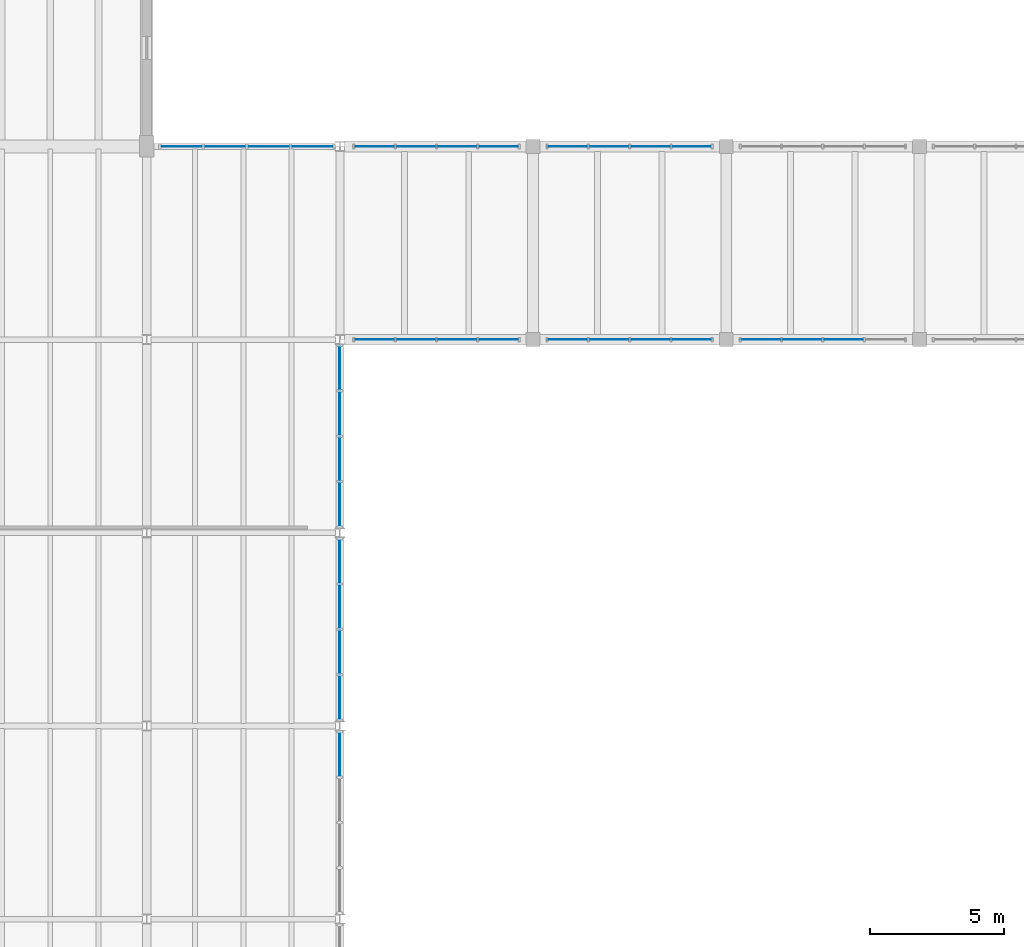
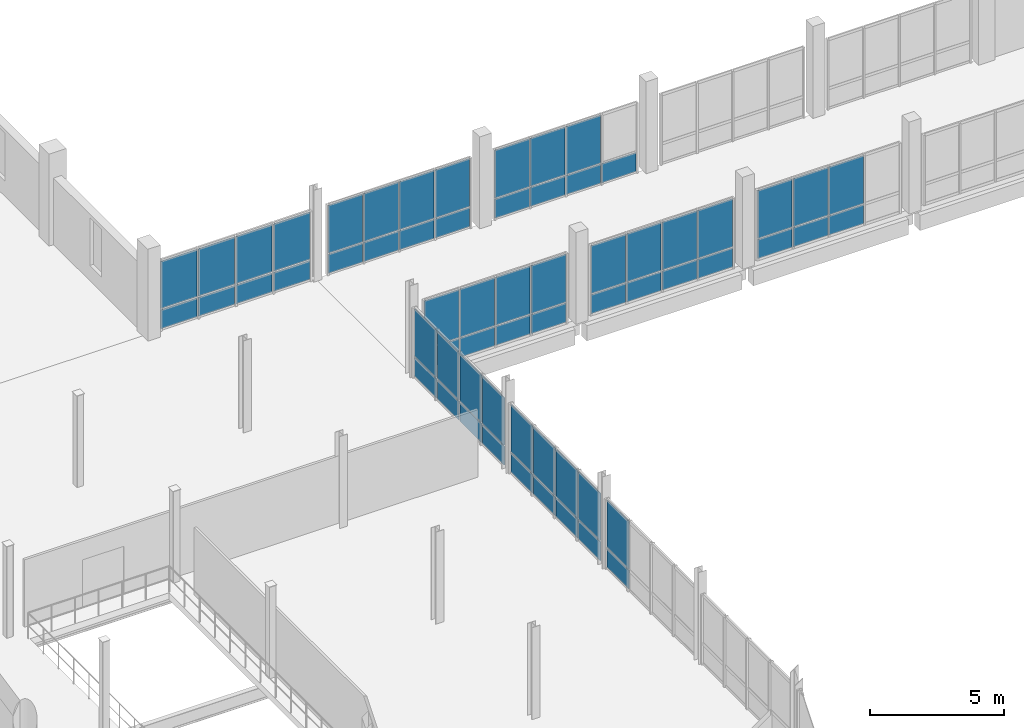
# One storey, part 49 of 72: 63 plates, 9 elements without a shape of their own.
"""IFC4 building model written with IfcOpenShell, lengths in metres."""

from ifc_helpers import new_model, si_unit, direction, frame, frame_2d, origin, place, context, subcontext, project, spatial, rectangle, extrude, material, layer, layer_set, type_object, element, aggregate, save


model = new_model("IFC4")

# Units and contexts
model_context = context("Model", 3, precision=1e-05, world=origin(), true_north=direction((0.0, 1.0)))
body_context = subcontext(model_context, "Body", "Model", "MODEL_VIEW")
ifc_project = project(units=[si_unit("LENGTHUNIT", "METRE"), si_unit("AREAUNIT", "SQUARE_METRE"), si_unit("VOLUMEUNIT", "CUBIC_METRE"), si_unit("PLANEANGLEUNIT", "RADIAN"), si_unit("MASSUNIT", "GRAM", prefix="KILO")], contexts=[model_context])

# Site, building, storey
site_placement = place(None, origin())
site = spatial("IfcSite", under=ifc_project, at=site_placement, CompositionType="ELEMENT")
building_placement = place(site_placement, origin())
building = spatial("IfcBuilding", under=site, at=building_placement, Name="Qiaolan Assembly House", CompositionType="ELEMENT")
storey_placement = place(building_placement, frame((0.0, 0.0, 10.199951171875)))
storey = spatial("IfcBuildingStorey", under=building, at=storey_placement, Name="L02", CompositionType="ELEMENT", Elevation=10.199951171875)

# Curtain wall, plates
ifc_material_1 = material(Name="Anodised bronze aluminium", Category="aluminium")
curtain_wall_type_1 = type_object("IfcCurtainWallType", Name="CW-CLOISTER-420", PredefinedType="NOTDEFINED", material=ifc_material_1)
curtain_wall_1_placement = place(storey_placement, origin())
curtain_wall_1 = element("IfcCurtainWall", 1, at=curtain_wall_1_placement, inside=storey, type_object=curtain_wall_type_1, Name="CW-05 North Cloister court arcade L02-1", PredefinedType="NOTDEFINED")
ifc_material_2 = material(Name="Low-E double insulating glass", Category="glass")
ifc_layer_1 = layer(ifc_material_2, 0.02587890625)
ifc_layer_set_1 = layer_set([ifc_layer_1], Name="Low-E double insulating glass")
plate_type_1 = type_object("IfcPlateType", Name="CW-CLOISTER-420-PNL", PredefinedType="CURTAIN_PANEL", material=ifc_layer_set_1)
plate_1_placement = place(storey_placement, frame((108.547119140625, 79.199951171875, 0.052978515625), z_axis=(0.0, 0.0, 1.0), x_axis=(1.0, 0.0, 0.0)))
plate_1 = element("IfcPlate", 2, at=plate_1_placement, type_object=plate_type_1, Name="GL-06 glazing panel CW-CLN-CRT-L02-0-1", PredefinedType="CURTAIN_PANEL", context=body_context, shape_type="SweptSolid", body=[
    extrude(rectangle(XDim=1.48583984375, YDim=0.02587890625, at=frame_2d((0.742919921875, 0.0))), origin(), (0.0, 0.0, 1.0), 0.8740234375),
])
plate_2_placement = place(storey_placement, frame((108.547119140625, 79.199951171875, 0.97314453125), z_axis=(0.0, 0.0, 1.0), x_axis=(1.0, 0.0, 0.0)))
plate_2 = element("IfcPlate", 3, at=plate_2_placement, type_object=plate_type_1, Name="GL-06 glazing panel CW-CLN-CRT-L02-0-2", PredefinedType="CURTAIN_PANEL", context=body_context, shape_type="SweptSolid", body=[
    extrude(rectangle(XDim=1.48583984375, YDim=0.02587890625, at=frame_2d((0.742919921875, 0.0))), origin(), (0.0, 0.0, 1.0), 2.19384765625),
])
plate_3_placement = place(storey_placement, frame((110.0869140625, 79.199951171875, 0.052978515625), z_axis=(0.0, 0.0, 1.0), x_axis=(1.0, 0.0, 0.0)))
plate_3 = element("IfcPlate", 4, at=plate_3_placement, type_object=plate_type_1, Name="GL-06 glazing panel CW-CLN-CRT-L02-0-3", PredefinedType="CURTAIN_PANEL", context=body_context, shape_type="SweptSolid", body=[
    extrude(rectangle(XDim=1.486083984375, YDim=0.02587890625, at=frame_2d((0.7431640625, 0.0))), origin(), (0.0, 0.0, 1.0), 0.8740234375),
])
plate_4_placement = place(storey_placement, frame((110.0869140625, 79.199951171875, 0.97314453125), z_axis=(0.0, 0.0, 1.0), x_axis=(1.0, 0.0, 0.0)))
plate_4 = element("IfcPlate", 5, at=plate_4_placement, type_object=plate_type_1, Name="GL-06 glazing panel CW-CLN-CRT-L02-0-4", PredefinedType="CURTAIN_PANEL", context=body_context, shape_type="SweptSolid", body=[
    extrude(rectangle(XDim=1.486083984375, YDim=0.02587890625, at=frame_2d((0.7431640625, 0.0))), origin(), (0.0, 0.0, 1.0), 2.19384765625),
])
plate_5_placement = place(storey_placement, frame((111.626953125, 79.199951171875, 0.052978515625), z_axis=(0.0, 0.0, 1.0), x_axis=(1.0, 0.0, 0.0)))
plate_5 = element("IfcPlate", 6, at=plate_5_placement, type_object=plate_type_1, Name="GL-06 glazing panel CW-CLN-CRT-L02-0-5", PredefinedType="CURTAIN_PANEL", context=body_context, shape_type="SweptSolid", body=[
    extrude(rectangle(XDim=1.486083984375, YDim=0.02587890625, at=frame_2d((0.7431640625, 0.0))), origin(), (0.0, 0.0, 1.0), 0.8740234375),
])
plate_6_placement = place(storey_placement, frame((111.626953125, 79.199951171875, 0.97314453125), z_axis=(0.0, 0.0, 1.0), x_axis=(1.0, 0.0, 0.0)))
plate_6 = element("IfcPlate", 7, at=plate_6_placement, type_object=plate_type_1, Name="GL-06 glazing panel CW-CLN-CRT-L02-0-6", PredefinedType="CURTAIN_PANEL", context=body_context, shape_type="SweptSolid", body=[
    extrude(rectangle(XDim=1.486083984375, YDim=0.02587890625, at=frame_2d((0.7431640625, 0.0))), origin(), (0.0, 0.0, 1.0), 2.19384765625),
])
plate_7_placement = place(storey_placement, frame((113.1669921875, 79.199951171875, 0.052978515625), z_axis=(0.0, 0.0, 1.0), x_axis=(1.0, 0.0, 0.0)))
plate_7 = element("IfcPlate", 8, at=plate_7_placement, type_object=plate_type_1, Name="GL-06 glazing panel CW-CLN-CRT-L02-0-7", PredefinedType="CURTAIN_PANEL", context=body_context, shape_type="SweptSolid", body=[
    extrude(rectangle(XDim=1.486083984375, YDim=0.02587890625, at=frame_2d((0.7431640625, 0.0))), origin(), (0.0, 0.0, 1.0), 0.8740234375),
])
plate_8_placement = place(storey_placement, frame((113.1669921875, 79.199951171875, 0.97314453125), z_axis=(0.0, 0.0, 1.0), x_axis=(1.0, 0.0, 0.0)))
plate_8 = element("IfcPlate", 9, at=plate_8_placement, type_object=plate_type_1, Name="GL-06 glazing panel CW-CLN-CRT-L02-0-8", PredefinedType="CURTAIN_PANEL", context=body_context, shape_type="SweptSolid", body=[
    extrude(rectangle(XDim=1.486083984375, YDim=0.02587890625, at=frame_2d((0.7431640625, 0.0))), origin(), (0.0, 0.0, 1.0), 2.19384765625),
])
aggregate(curtain_wall_1, [plate_1, plate_2, plate_3, plate_4, plate_5, plate_6, plate_7, plate_8])

curtain_wall_2_placement = place(storey_placement, origin())
curtain_wall_2 = element("IfcCurtainWall", 10, at=curtain_wall_2_placement, inside=storey, type_object=curtain_wall_type_1, Name="CW-05 North Cloister outer arcade L02-1", PredefinedType="NOTDEFINED")
plate_9_placement = place(storey_placement, frame((114.653076171875, 86.39990234375, 0.052978515625), z_axis=(0.0, 0.0, 1.0), x_axis=(-1.0, 0.0, 0.0)))
plate_9 = element("IfcPlate", 11, at=plate_9_placement, type_object=plate_type_1, Name="GL-06 glazing panel CW-CLN-OUT-L02-0-1", PredefinedType="CURTAIN_PANEL", context=body_context, shape_type="SweptSolid", body=[
    extrude(rectangle(XDim=1.486083984375, YDim=0.02587890625, at=frame_2d((0.7431640625, 0.0))), origin(), (0.0, 0.0, 1.0), 0.8740234375),
])
plate_10_placement = place(storey_placement, frame((114.653076171875, 86.39990234375, 0.97314453125), z_axis=(0.0, 0.0, 1.0), x_axis=(-1.0, 0.0, 0.0)))
plate_10 = element("IfcPlate", 12, at=plate_10_placement, type_object=plate_type_1, Name="GL-06 glazing panel CW-CLN-OUT-L02-0-2", PredefinedType="CURTAIN_PANEL", context=body_context, shape_type="SweptSolid", body=[
    extrude(rectangle(XDim=1.486083984375, YDim=0.02587890625, at=frame_2d((0.7431640625, 0.0))), origin(), (0.0, 0.0, 1.0), 2.19384765625),
])
plate_11_placement = place(storey_placement, frame((113.113037109375, 86.39990234375, 0.052978515625), z_axis=(0.0, 0.0, 1.0), x_axis=(-1.0, 0.0, 0.0)))
plate_11 = element("IfcPlate", 13, at=plate_11_placement, type_object=plate_type_1, Name="GL-06 glazing panel CW-CLN-OUT-L02-0-3", PredefinedType="CURTAIN_PANEL", context=body_context, shape_type="SweptSolid", body=[
    extrude(rectangle(XDim=1.486083984375, YDim=0.02587890625, at=frame_2d((0.7431640625, 0.0))), origin(), (0.0, 0.0, 1.0), 0.8740234375),
])
plate_12_placement = place(storey_placement, frame((113.113037109375, 86.39990234375, 0.97314453125), z_axis=(0.0, 0.0, 1.0), x_axis=(-1.0, 0.0, 0.0)))
plate_12 = element("IfcPlate", 14, at=plate_12_placement, type_object=plate_type_1, Name="GL-06 glazing panel CW-CLN-OUT-L02-0-4", PredefinedType="CURTAIN_PANEL", context=body_context, shape_type="SweptSolid", body=[
    extrude(rectangle(XDim=1.486083984375, YDim=0.02587890625, at=frame_2d((0.7431640625, 0.0))), origin(), (0.0, 0.0, 1.0), 2.19384765625),
])
plate_13_placement = place(storey_placement, frame((111.572998046875, 86.39990234375, 0.052978515625), z_axis=(0.0, 0.0, 1.0), x_axis=(-1.0, 0.0, 0.0)))
plate_13 = element("IfcPlate", 15, at=plate_13_placement, type_object=plate_type_1, Name="GL-06 glazing panel CW-CLN-OUT-L02-0-5", PredefinedType="CURTAIN_PANEL", context=body_context, shape_type="SweptSolid", body=[
    extrude(rectangle(XDim=1.486083984375, YDim=0.02587890625, at=frame_2d((0.7431640625, 0.0))), origin(), (0.0, 0.0, 1.0), 0.8740234375),
])
plate_14_placement = place(storey_placement, frame((111.572998046875, 86.39990234375, 0.97314453125), z_axis=(0.0, 0.0, 1.0), x_axis=(-1.0, 0.0, 0.0)))
plate_14 = element("IfcPlate", 16, at=plate_14_placement, type_object=plate_type_1, Name="GL-06 glazing panel CW-CLN-OUT-L02-0-6", PredefinedType="CURTAIN_PANEL", context=body_context, shape_type="SweptSolid", body=[
    extrude(rectangle(XDim=1.486083984375, YDim=0.02587890625, at=frame_2d((0.7431640625, 0.0))), origin(), (0.0, 0.0, 1.0), 2.19384765625),
])
plate_15_placement = place(storey_placement, frame((110.032958984375, 86.39990234375, 0.052978515625), z_axis=(0.0, 0.0, 1.0), x_axis=(-1.0, 0.0, 0.0)))
plate_15 = element("IfcPlate", 17, at=plate_15_placement, type_object=plate_type_1, Name="GL-06 glazing panel CW-CLN-OUT-L02-0-7", PredefinedType="CURTAIN_PANEL", context=body_context, shape_type="SweptSolid", body=[
    extrude(rectangle(XDim=1.48583984375, YDim=0.02587890625, at=frame_2d((0.742919921875, 0.0))), origin(), (0.0, 0.0, 1.0), 0.8740234375),
])
plate_16_placement = place(storey_placement, frame((110.032958984375, 86.39990234375, 0.97314453125), z_axis=(0.0, 0.0, 1.0), x_axis=(-1.0, 0.0, 0.0)))
plate_16 = element("IfcPlate", 18, at=plate_16_placement, type_object=plate_type_1, Name="GL-06 glazing panel CW-CLN-OUT-L02-0-8", PredefinedType="CURTAIN_PANEL", context=body_context, shape_type="SweptSolid", body=[
    extrude(rectangle(XDim=1.48583984375, YDim=0.02587890625, at=frame_2d((0.742919921875, 0.0))), origin(), (0.0, 0.0, 1.0), 2.19384765625),
])
aggregate(curtain_wall_2, [plate_9, plate_10, plate_11, plate_12, plate_13, plate_14, plate_15, plate_16])

curtain_wall_3_placement = place(storey_placement, origin())
curtain_wall_3 = element("IfcCurtainWall", 19, at=curtain_wall_3_placement, inside=storey, type_object=curtain_wall_type_1, Name="CW-05 North Cloister court arcade L02-2", PredefinedType="NOTDEFINED")
plate_17_placement = place(storey_placement, frame((115.7470703125, 79.199951171875, 0.052978515625), z_axis=(0.0, 0.0, 1.0), x_axis=(1.0, 0.0, 0.0)))
plate_17 = element("IfcPlate", 20, at=plate_17_placement, type_object=plate_type_1, Name="GL-06 glazing panel CW-CLN-CRT-L02-1-1", PredefinedType="CURTAIN_PANEL", context=body_context, shape_type="SweptSolid", body=[
    extrude(rectangle(XDim=1.48583984375, YDim=0.02587890625, at=frame_2d((0.742919921875, 0.0))), origin(), (0.0, 0.0, 1.0), 0.8740234375),
])
plate_18_placement = place(storey_placement, frame((115.7470703125, 79.199951171875, 0.97314453125), z_axis=(0.0, 0.0, 1.0), x_axis=(1.0, 0.0, 0.0)))
plate_18 = element("IfcPlate", 21, at=plate_18_placement, type_object=plate_type_1, Name="GL-06 glazing panel CW-CLN-CRT-L02-1-2", PredefinedType="CURTAIN_PANEL", context=body_context, shape_type="SweptSolid", body=[
    extrude(rectangle(XDim=1.48583984375, YDim=0.02587890625, at=frame_2d((0.742919921875, 0.0))), origin(), (0.0, 0.0, 1.0), 2.19384765625),
])
plate_19_placement = place(storey_placement, frame((117.287109375, 79.199951171875, 0.052978515625), z_axis=(0.0, 0.0, 1.0), x_axis=(1.0, 0.0, 0.0)))
plate_19 = element("IfcPlate", 22, at=plate_19_placement, type_object=plate_type_1, Name="GL-06 glazing panel CW-CLN-CRT-L02-1-3", PredefinedType="CURTAIN_PANEL", context=body_context, shape_type="SweptSolid", body=[
    extrude(rectangle(XDim=1.48583984375, YDim=0.02587890625, at=frame_2d((0.742919921875, 0.0))), origin(), (0.0, 0.0, 1.0), 0.8740234375),
])
plate_20_placement = place(storey_placement, frame((117.287109375, 79.199951171875, 0.97314453125), z_axis=(0.0, 0.0, 1.0), x_axis=(1.0, 0.0, 0.0)))
plate_20 = element("IfcPlate", 23, at=plate_20_placement, type_object=plate_type_1, Name="GL-06 glazing panel CW-CLN-CRT-L02-1-4", PredefinedType="CURTAIN_PANEL", context=body_context, shape_type="SweptSolid", body=[
    extrude(rectangle(XDim=1.48583984375, YDim=0.02587890625, at=frame_2d((0.742919921875, 0.0))), origin(), (0.0, 0.0, 1.0), 2.19384765625),
])
plate_21_placement = place(storey_placement, frame((118.826904296875, 79.199951171875, 0.052978515625), z_axis=(0.0, 0.0, 1.0), x_axis=(1.0, 0.0, 0.0)))
plate_21 = element("IfcPlate", 24, at=plate_21_placement, type_object=plate_type_1, Name="GL-06 glazing panel CW-CLN-CRT-L02-1-5", PredefinedType="CURTAIN_PANEL", context=body_context, shape_type="SweptSolid", body=[
    extrude(rectangle(XDim=1.486083984375, YDim=0.02587890625, at=frame_2d((0.7431640625, 0.0))), origin(), (0.0, 0.0, 1.0), 0.8740234375),
])
plate_22_placement = place(storey_placement, frame((118.826904296875, 79.199951171875, 0.97314453125), z_axis=(0.0, 0.0, 1.0), x_axis=(1.0, 0.0, 0.0)))
plate_22 = element("IfcPlate", 25, at=plate_22_placement, type_object=plate_type_1, Name="GL-06 glazing panel CW-CLN-CRT-L02-1-6", PredefinedType="CURTAIN_PANEL", context=body_context, shape_type="SweptSolid", body=[
    extrude(rectangle(XDim=1.486083984375, YDim=0.02587890625, at=frame_2d((0.7431640625, 0.0))), origin(), (0.0, 0.0, 1.0), 2.19384765625),
])
plate_23_placement = place(storey_placement, frame((120.366943359375, 79.199951171875, 0.052978515625), z_axis=(0.0, 0.0, 1.0), x_axis=(1.0, 0.0, 0.0)))
plate_23 = element("IfcPlate", 26, at=plate_23_placement, type_object=plate_type_1, Name="GL-06 glazing panel CW-CLN-CRT-L02-1-7", PredefinedType="CURTAIN_PANEL", context=body_context, shape_type="SweptSolid", body=[
    extrude(rectangle(XDim=1.486083984375, YDim=0.02587890625, at=frame_2d((0.7431640625, 0.0))), origin(), (0.0, 0.0, 1.0), 0.8740234375),
])
plate_24_placement = place(storey_placement, frame((120.366943359375, 79.199951171875, 0.97314453125), z_axis=(0.0, 0.0, 1.0), x_axis=(1.0, 0.0, 0.0)))
plate_24 = element("IfcPlate", 27, at=plate_24_placement, type_object=plate_type_1, Name="GL-06 glazing panel CW-CLN-CRT-L02-1-8", PredefinedType="CURTAIN_PANEL", context=body_context, shape_type="SweptSolid", body=[
    extrude(rectangle(XDim=1.486083984375, YDim=0.02587890625, at=frame_2d((0.7431640625, 0.0))), origin(), (0.0, 0.0, 1.0), 2.19384765625),
])
aggregate(curtain_wall_3, [plate_17, plate_18, plate_19, plate_20, plate_21, plate_22, plate_23, plate_24])

curtain_wall_4_placement = place(storey_placement, origin())
curtain_wall_4 = element("IfcCurtainWall", 28, at=curtain_wall_4_placement, inside=storey, type_object=curtain_wall_type_1, Name="CW-05 North Cloister outer arcade L02-2", PredefinedType="NOTDEFINED")
plate_25_placement = place(storey_placement, frame((121.85302734375, 86.39990234375, 0.052978515625), z_axis=(0.0, 0.0, 1.0), x_axis=(-1.0, 0.0, 0.0)))
plate_25 = element("IfcPlate", 29, at=plate_25_placement, type_object=plate_type_1, Name="GL-06 glazing panel CW-CLN-OUT-L02-1-1", PredefinedType="CURTAIN_PANEL", context=body_context, shape_type="SweptSolid", body=[
    extrude(rectangle(XDim=1.486083984375, YDim=0.02587890625, at=frame_2d((0.7431640625, 0.0))), origin(), (0.0, 0.0, 1.0), 0.8740234375),
])
plate_26_placement = place(storey_placement, frame((120.31298828125, 86.39990234375, 0.052978515625), z_axis=(0.0, 0.0, 1.0), x_axis=(-1.0, 0.0, 0.0)))
plate_26 = element("IfcPlate", 30, at=plate_26_placement, type_object=plate_type_1, Name="GL-06 glazing panel CW-CLN-OUT-L02-1-3", PredefinedType="CURTAIN_PANEL", context=body_context, shape_type="SweptSolid", body=[
    extrude(rectangle(XDim=1.486083984375, YDim=0.02587890625, at=frame_2d((0.7431640625, 0.0))), origin(), (0.0, 0.0, 1.0), 0.8740234375),
])
plate_27_placement = place(storey_placement, frame((120.31298828125, 86.39990234375, 0.97314453125), z_axis=(0.0, 0.0, 1.0), x_axis=(-1.0, 0.0, 0.0)))
plate_27 = element("IfcPlate", 31, at=plate_27_placement, type_object=plate_type_1, Name="GL-06 glazing panel CW-CLN-OUT-L02-1-4", PredefinedType="CURTAIN_PANEL", context=body_context, shape_type="SweptSolid", body=[
    extrude(rectangle(XDim=1.486083984375, YDim=0.02587890625, at=frame_2d((0.7431640625, 0.0))), origin(), (0.0, 0.0, 1.0), 2.19384765625),
])
plate_28_placement = place(storey_placement, frame((118.77294921875, 86.39990234375, 0.052978515625), z_axis=(0.0, 0.0, 1.0), x_axis=(-1.0, 0.0, 0.0)))
plate_28 = element("IfcPlate", 32, at=plate_28_placement, type_object=plate_type_1, Name="GL-06 glazing panel CW-CLN-OUT-L02-1-5", PredefinedType="CURTAIN_PANEL", context=body_context, shape_type="SweptSolid", body=[
    extrude(rectangle(XDim=1.48583984375, YDim=0.02587890625, at=frame_2d((0.742919921875, 0.0))), origin(), (0.0, 0.0, 1.0), 0.8740234375),
])
plate_29_placement = place(storey_placement, frame((118.77294921875, 86.39990234375, 0.97314453125), z_axis=(0.0, 0.0, 1.0), x_axis=(-1.0, 0.0, 0.0)))
plate_29 = element("IfcPlate", 33, at=plate_29_placement, type_object=plate_type_1, Name="GL-06 glazing panel CW-CLN-OUT-L02-1-6", PredefinedType="CURTAIN_PANEL", context=body_context, shape_type="SweptSolid", body=[
    extrude(rectangle(XDim=1.48583984375, YDim=0.02587890625, at=frame_2d((0.742919921875, 0.0))), origin(), (0.0, 0.0, 1.0), 2.19384765625),
])
plate_30_placement = place(storey_placement, frame((117.23291015625, 86.39990234375, 0.052978515625), z_axis=(0.0, 0.0, 1.0), x_axis=(-1.0, 0.0, 0.0)))
plate_30 = element("IfcPlate", 34, at=plate_30_placement, type_object=plate_type_1, Name="GL-06 glazing panel CW-CLN-OUT-L02-1-7", PredefinedType="CURTAIN_PANEL", context=body_context, shape_type="SweptSolid", body=[
    extrude(rectangle(XDim=1.48583984375, YDim=0.02587890625, at=frame_2d((0.742919921875, 0.0))), origin(), (0.0, 0.0, 1.0), 0.8740234375),
])
plate_31_placement = place(storey_placement, frame((117.23291015625, 86.39990234375, 0.97314453125), z_axis=(0.0, 0.0, 1.0), x_axis=(-1.0, 0.0, 0.0)))
plate_31 = element("IfcPlate", 35, at=plate_31_placement, type_object=plate_type_1, Name="GL-06 glazing panel CW-CLN-OUT-L02-1-8", PredefinedType="CURTAIN_PANEL", context=body_context, shape_type="SweptSolid", body=[
    extrude(rectangle(XDim=1.48583984375, YDim=0.02587890625, at=frame_2d((0.742919921875, 0.0))), origin(), (0.0, 0.0, 1.0), 2.19384765625),
])
aggregate(curtain_wall_4, [plate_25, plate_26, plate_27, plate_28, plate_29, plate_30, plate_31])

curtain_wall_5_placement = place(storey_placement, origin())
curtain_wall_5 = element("IfcCurtainWall", 36, at=curtain_wall_5_placement, inside=storey, type_object=curtain_wall_type_1, Name="CW-05 North Cloister court arcade L02-3", PredefinedType="NOTDEFINED")
plate_32_placement = place(storey_placement, frame((122.947021484375, 79.199951171875, 0.052978515625), z_axis=(0.0, 0.0, 1.0), x_axis=(1.0, 0.0, 0.0)))
plate_32 = element("IfcPlate", 37, at=plate_32_placement, type_object=plate_type_1, Name="GL-06 glazing panel CW-CLN-CRT-L02-2-1", PredefinedType="CURTAIN_PANEL", context=body_context, shape_type="SweptSolid", body=[
    extrude(rectangle(XDim=1.486083984375, YDim=0.02587890625, at=frame_2d((0.7431640625, 0.0))), origin(), (0.0, 0.0, 1.0), 0.8740234375),
])
plate_33_placement = place(storey_placement, frame((122.947021484375, 79.199951171875, 0.97314453125), z_axis=(0.0, 0.0, 1.0), x_axis=(1.0, 0.0, 0.0)))
plate_33 = element("IfcPlate", 38, at=plate_33_placement, type_object=plate_type_1, Name="GL-06 glazing panel CW-CLN-CRT-L02-2-2", PredefinedType="CURTAIN_PANEL", context=body_context, shape_type="SweptSolid", body=[
    extrude(rectangle(XDim=1.486083984375, YDim=0.02587890625, at=frame_2d((0.7431640625, 0.0))), origin(), (0.0, 0.0, 1.0), 2.19384765625),
])
plate_34_placement = place(storey_placement, frame((124.487060546875, 79.199951171875, 0.052978515625), z_axis=(0.0, 0.0, 1.0), x_axis=(1.0, 0.0, 0.0)))
plate_34 = element("IfcPlate", 39, at=plate_34_placement, type_object=plate_type_1, Name="GL-06 glazing panel CW-CLN-CRT-L02-2-3", PredefinedType="CURTAIN_PANEL", context=body_context, shape_type="SweptSolid", body=[
    extrude(rectangle(XDim=1.48583984375, YDim=0.02587890625, at=frame_2d((0.742919921875, 0.0))), origin(), (0.0, 0.0, 1.0), 0.8740234375),
])
plate_35_placement = place(storey_placement, frame((124.487060546875, 79.199951171875, 0.97314453125), z_axis=(0.0, 0.0, 1.0), x_axis=(1.0, 0.0, 0.0)))
plate_35 = element("IfcPlate", 40, at=plate_35_placement, type_object=plate_type_1, Name="GL-06 glazing panel CW-CLN-CRT-L02-2-4", PredefinedType="CURTAIN_PANEL", context=body_context, shape_type="SweptSolid", body=[
    extrude(rectangle(XDim=1.48583984375, YDim=0.02587890625, at=frame_2d((0.742919921875, 0.0))), origin(), (0.0, 0.0, 1.0), 2.19384765625),
])
plate_36_placement = place(storey_placement, frame((126.027099609375, 79.199951171875, 0.052978515625), z_axis=(0.0, 0.0, 1.0), x_axis=(1.0, 0.0, 0.0)))
plate_36 = element("IfcPlate", 41, at=plate_36_placement, type_object=plate_type_1, Name="GL-06 glazing panel CW-CLN-CRT-L02-2-5", PredefinedType="CURTAIN_PANEL", context=body_context, shape_type="SweptSolid", body=[
    extrude(rectangle(XDim=1.48583984375, YDim=0.02587890625, at=frame_2d((0.742919921875, 0.0))), origin(), (0.0, 0.0, 1.0), 0.8740234375),
])
plate_37_placement = place(storey_placement, frame((126.027099609375, 79.199951171875, 0.97314453125), z_axis=(0.0, 0.0, 1.0), x_axis=(1.0, 0.0, 0.0)))
plate_37 = element("IfcPlate", 42, at=plate_37_placement, type_object=plate_type_1, Name="GL-06 glazing panel CW-CLN-CRT-L02-2-6", PredefinedType="CURTAIN_PANEL", context=body_context, shape_type="SweptSolid", body=[
    extrude(rectangle(XDim=1.48583984375, YDim=0.02587890625, at=frame_2d((0.742919921875, 0.0))), origin(), (0.0, 0.0, 1.0), 2.19384765625),
])
aggregate(curtain_wall_5, [plate_32, plate_33, plate_34, plate_35, plate_36, plate_37])

curtain_wall_type_2 = type_object("IfcCurtainWallType", Name="CW-HALL-UPPER-480", PredefinedType="NOTDEFINED", material=ifc_material_1)
curtain_wall_6_placement = place(storey_placement, origin())
curtain_wall_6 = element("IfcCurtainWall", 43, at=curtain_wall_6_placement, inside=storey, type_object=curtain_wall_type_2, Name="CW-01 Hall East court curtain wall L02-3", PredefinedType="NOTDEFINED")
ifc_layer_2 = layer(ifc_material_2, 0.031982421875)
ifc_layer_set_2 = layer_set([ifc_layer_2], Name="Low-E double insulating glass")
plate_type_2 = type_object("IfcPlateType", Name="CW-HALL-UPPER-480-PNL", PredefinedType="CURTAIN_PANEL", material=ifc_layer_set_2)
plate_38_placement = place(storey_placement, frame((108.0, 64.544921875, 0.06005859375), z_axis=(0.0, 0.0, 1.0), x_axis=(0.0, -1.0, 0.0)))
plate_38 = element("IfcPlate", 44, at=plate_38_placement, type_object=plate_type_2, Name="GL-02 glazing panel CW-HALL-E-L02-02-1", PredefinedType="CURTAIN_PANEL", context=body_context, shape_type="SweptSolid", body=[
    extrude(rectangle(XDim=1.619873046875, YDim=0.031982421875, at=frame_2d((0.81005859375, 0.0))), origin(), (0.0, 0.0, 1.0), 0.860107421875),
])
plate_39_placement = place(storey_placement, frame((108.0, 64.544921875, 0.97998046875), z_axis=(0.0, 0.0, 1.0), x_axis=(0.0, -1.0, 0.0)))
plate_39 = element("IfcPlate", 45, at=plate_39_placement, type_object=plate_type_2, Name="GL-02 glazing panel CW-HALL-E-L02-02-2", PredefinedType="CURTAIN_PANEL", context=body_context, shape_type="SweptSolid", body=[
    extrude(rectangle(XDim=1.619873046875, YDim=0.031982421875, at=frame_2d((0.81005859375, 0.0))), origin(), (0.0, 0.0, 1.0), 2.16015625),
])
aggregate(curtain_wall_6, [plate_38, plate_39])

curtain_wall_7_placement = place(storey_placement, origin())
curtain_wall_7 = element("IfcCurtainWall", 46, at=curtain_wall_7_placement, inside=storey, type_object=curtain_wall_type_2, Name="CW-01 Hall East court curtain wall L02-4", PredefinedType="NOTDEFINED")
plate_40_placement = place(storey_placement, frame((108.0, 71.7451171875, 0.06005859375), z_axis=(0.0, 0.0, 1.0), x_axis=(0.0, -1.0, 0.0)))
plate_40 = element("IfcPlate", 47, at=plate_40_placement, type_object=plate_type_2, Name="GL-02 glazing panel CW-HALL-E-L02-03-1", PredefinedType="CURTAIN_PANEL", context=body_context, shape_type="SweptSolid", body=[
    extrude(rectangle(XDim=1.6201171875, YDim=0.031982421875, at=frame_2d((0.81005859375, 0.0))), origin(), (0.0, 0.0, 1.0), 0.860107421875),
])
plate_41_placement = place(storey_placement, frame((108.0, 71.7451171875, 0.97998046875), z_axis=(0.0, 0.0, 1.0), x_axis=(0.0, -1.0, 0.0)))
plate_41 = element("IfcPlate", 48, at=plate_41_placement, type_object=plate_type_2, Name="GL-02 glazing panel CW-HALL-E-L02-03-2", PredefinedType="CURTAIN_PANEL", context=body_context, shape_type="SweptSolid", body=[
    extrude(rectangle(XDim=1.6201171875, YDim=0.031982421875, at=frame_2d((0.81005859375, 0.0))), origin(), (0.0, 0.0, 1.0), 2.16015625),
])
plate_42_placement = place(storey_placement, frame((108.0, 70.054931640625, 0.06005859375), z_axis=(0.0, 0.0, 1.0), x_axis=(0.0, -1.0, 0.0)))
plate_42 = element("IfcPlate", 49, at=plate_42_placement, type_object=plate_type_2, Name="GL-02 glazing panel CW-HALL-E-L02-03-3", PredefinedType="CURTAIN_PANEL", context=body_context, shape_type="SweptSolid", body=[
    extrude(rectangle(XDim=1.619873046875, YDim=0.031982421875, at=frame_2d((0.81005859375, 0.0))), origin(), (0.0, 0.0, 1.0), 0.860107421875),
])
plate_43_placement = place(storey_placement, frame((108.0, 70.054931640625, 0.97998046875), z_axis=(0.0, 0.0, 1.0), x_axis=(0.0, -1.0, 0.0)))
plate_43 = element("IfcPlate", 50, at=plate_43_placement, type_object=plate_type_2, Name="GL-02 glazing panel CW-HALL-E-L02-03-4", PredefinedType="CURTAIN_PANEL", context=body_context, shape_type="SweptSolid", body=[
    extrude(rectangle(XDim=1.619873046875, YDim=0.031982421875, at=frame_2d((0.81005859375, 0.0))), origin(), (0.0, 0.0, 1.0), 2.16015625),
])
plate_44_placement = place(storey_placement, frame((108.0, 68.364990234375, 0.06005859375), z_axis=(0.0, 0.0, 1.0), x_axis=(0.0, -1.0, 0.0)))
plate_44 = element("IfcPlate", 51, at=plate_44_placement, type_object=plate_type_2, Name="GL-02 glazing panel CW-HALL-E-L02-03-5", PredefinedType="CURTAIN_PANEL", context=body_context, shape_type="SweptSolid", body=[
    extrude(rectangle(XDim=1.619873046875, YDim=0.031982421875, at=frame_2d((0.81005859375, 0.0))), origin(), (0.0, 0.0, 1.0), 0.860107421875),
])
plate_45_placement = place(storey_placement, frame((108.0, 68.364990234375, 0.97998046875), z_axis=(0.0, 0.0, 1.0), x_axis=(0.0, -1.0, 0.0)))
plate_45 = element("IfcPlate", 52, at=plate_45_placement, type_object=plate_type_2, Name="GL-02 glazing panel CW-HALL-E-L02-03-6", PredefinedType="CURTAIN_PANEL", context=body_context, shape_type="SweptSolid", body=[
    extrude(rectangle(XDim=1.619873046875, YDim=0.031982421875, at=frame_2d((0.81005859375, 0.0))), origin(), (0.0, 0.0, 1.0), 2.16015625),
])
plate_46_placement = place(storey_placement, frame((108.0, 66.675048828125, 0.06005859375), z_axis=(0.0, 0.0, 1.0), x_axis=(0.0, -1.0, 0.0)))
plate_46 = element("IfcPlate", 53, at=plate_46_placement, type_object=plate_type_2, Name="GL-02 glazing panel CW-HALL-E-L02-03-7", PredefinedType="CURTAIN_PANEL", context=body_context, shape_type="SweptSolid", body=[
    extrude(rectangle(XDim=1.6201171875, YDim=0.031982421875, at=frame_2d((0.81005859375, 0.0))), origin(), (0.0, 0.0, 1.0), 0.860107421875),
])
plate_47_placement = place(storey_placement, frame((108.0, 66.675048828125, 0.97998046875), z_axis=(0.0, 0.0, 1.0), x_axis=(0.0, -1.0, 0.0)))
plate_47 = element("IfcPlate", 54, at=plate_47_placement, type_object=plate_type_2, Name="GL-02 glazing panel CW-HALL-E-L02-03-8", PredefinedType="CURTAIN_PANEL", context=body_context, shape_type="SweptSolid", body=[
    extrude(rectangle(XDim=1.6201171875, YDim=0.031982421875, at=frame_2d((0.81005859375, 0.0))), origin(), (0.0, 0.0, 1.0), 2.16015625),
])
aggregate(curtain_wall_7, [plate_40, plate_41, plate_42, plate_43, plate_44, plate_45, plate_46, plate_47])

curtain_wall_8_placement = place(storey_placement, origin())
curtain_wall_8 = element("IfcCurtainWall", 55, at=curtain_wall_8_placement, inside=storey, type_object=curtain_wall_type_2, Name="CW-01 Hall East court curtain wall L02-5", PredefinedType="NOTDEFINED")
plate_48_placement = place(storey_placement, frame((108.0, 78.945068359375, 0.06005859375), z_axis=(0.0, 0.0, 1.0), x_axis=(0.0, -1.0, 0.0)))
plate_48 = element("IfcPlate", 56, at=plate_48_placement, type_object=plate_type_2, Name="GL-02 glazing panel CW-HALL-E-L02-04-1", PredefinedType="CURTAIN_PANEL", context=body_context, shape_type="SweptSolid", body=[
    extrude(rectangle(XDim=1.6201171875, YDim=0.031982421875, at=frame_2d((0.81005859375, 0.0))), origin(), (0.0, 0.0, 1.0), 0.860107421875),
])
plate_49_placement = place(storey_placement, frame((108.0, 78.945068359375, 0.97998046875), z_axis=(0.0, 0.0, 1.0), x_axis=(0.0, -1.0, 0.0)))
plate_49 = element("IfcPlate", 57, at=plate_49_placement, type_object=plate_type_2, Name="GL-02 glazing panel CW-HALL-E-L02-04-2", PredefinedType="CURTAIN_PANEL", context=body_context, shape_type="SweptSolid", body=[
    extrude(rectangle(XDim=1.6201171875, YDim=0.031982421875, at=frame_2d((0.81005859375, 0.0))), origin(), (0.0, 0.0, 1.0), 2.16015625),
])
plate_50_placement = place(storey_placement, frame((108.0, 77.2548828125, 0.06005859375), z_axis=(0.0, 0.0, 1.0), x_axis=(0.0, -1.0, 0.0)))
plate_50 = element("IfcPlate", 58, at=plate_50_placement, type_object=plate_type_2, Name="GL-02 glazing panel CW-HALL-E-L02-04-3", PredefinedType="CURTAIN_PANEL", context=body_context, shape_type="SweptSolid", body=[
    extrude(rectangle(XDim=1.619873046875, YDim=0.031982421875, at=frame_2d((0.81005859375, 0.0))), origin(), (0.0, 0.0, 1.0), 0.860107421875),
])
plate_51_placement = place(storey_placement, frame((108.0, 77.2548828125, 0.97998046875), z_axis=(0.0, 0.0, 1.0), x_axis=(0.0, -1.0, 0.0)))
plate_51 = element("IfcPlate", 59, at=plate_51_placement, type_object=plate_type_2, Name="GL-02 glazing panel CW-HALL-E-L02-04-4", PredefinedType="CURTAIN_PANEL", context=body_context, shape_type="SweptSolid", body=[
    extrude(rectangle(XDim=1.619873046875, YDim=0.031982421875, at=frame_2d((0.81005859375, 0.0))), origin(), (0.0, 0.0, 1.0), 2.16015625),
])
plate_52_placement = place(storey_placement, frame((108.0, 75.56494140625, 0.06005859375), z_axis=(0.0, 0.0, 1.0), x_axis=(0.0, -1.0, 0.0)))
plate_52 = element("IfcPlate", 60, at=plate_52_placement, type_object=plate_type_2, Name="GL-02 glazing panel CW-HALL-E-L02-04-5", PredefinedType="CURTAIN_PANEL", context=body_context, shape_type="SweptSolid", body=[
    extrude(rectangle(XDim=1.619873046875, YDim=0.031982421875, at=frame_2d((0.81005859375, 0.0))), origin(), (0.0, 0.0, 1.0), 0.860107421875),
])
plate_53_placement = place(storey_placement, frame((108.0, 75.56494140625, 0.97998046875), z_axis=(0.0, 0.0, 1.0), x_axis=(0.0, -1.0, 0.0)))
plate_53 = element("IfcPlate", 61, at=plate_53_placement, type_object=plate_type_2, Name="GL-02 glazing panel CW-HALL-E-L02-04-6", PredefinedType="CURTAIN_PANEL", context=body_context, shape_type="SweptSolid", body=[
    extrude(rectangle(XDim=1.619873046875, YDim=0.031982421875, at=frame_2d((0.81005859375, 0.0))), origin(), (0.0, 0.0, 1.0), 2.16015625),
])
plate_54_placement = place(storey_placement, frame((108.0, 73.875, 0.06005859375), z_axis=(0.0, 0.0, 1.0), x_axis=(0.0, -1.0, 0.0)))
plate_54 = element("IfcPlate", 62, at=plate_54_placement, type_object=plate_type_2, Name="GL-02 glazing panel CW-HALL-E-L02-04-7", PredefinedType="CURTAIN_PANEL", context=body_context, shape_type="SweptSolid", body=[
    extrude(rectangle(XDim=1.6201171875, YDim=0.031982421875, at=frame_2d((0.81005859375, 0.0))), origin(), (0.0, 0.0, 1.0), 0.860107421875),
])
plate_55_placement = place(storey_placement, frame((108.0, 73.875, 0.97998046875), z_axis=(0.0, 0.0, 1.0), x_axis=(0.0, -1.0, 0.0)))
plate_55 = element("IfcPlate", 63, at=plate_55_placement, type_object=plate_type_2, Name="GL-02 glazing panel CW-HALL-E-L02-04-8", PredefinedType="CURTAIN_PANEL", context=body_context, shape_type="SweptSolid", body=[
    extrude(rectangle(XDim=1.6201171875, YDim=0.031982421875, at=frame_2d((0.81005859375, 0.0))), origin(), (0.0, 0.0, 1.0), 2.16015625),
])
aggregate(curtain_wall_8, [plate_48, plate_49, plate_50, plate_51, plate_52, plate_53, plate_54, plate_55])

curtain_wall_9_placement = place(storey_placement, origin())
curtain_wall_9 = element("IfcCurtainWall", 64, at=curtain_wall_9_placement, inside=storey, type_object=curtain_wall_type_2, Name="CW-02 Hall North-East link CW L02", PredefinedType="NOTDEFINED")
plate_56_placement = place(storey_placement, frame((107.7451171875, 86.39990234375, 0.06005859375), z_axis=(0.0, 0.0, 1.0), x_axis=(-1.0, 0.0, 0.0)))
plate_56 = element("IfcPlate", 65, at=plate_56_placement, type_object=plate_type_2, Name="GL-02 glazing panel CW-HALL-NEJ-L02-1", PredefinedType="CURTAIN_PANEL", context=body_context, shape_type="SweptSolid", body=[
    extrude(rectangle(XDim=1.55517578125, YDim=0.031982421875, at=frame_2d((0.777587890625, 0.0))), origin(), (0.0, 0.0, 1.0), 0.860107421875),
])
plate_57_placement = place(storey_placement, frame((107.7451171875, 86.39990234375, 0.97998046875), z_axis=(0.0, 0.0, 1.0), x_axis=(-1.0, 0.0, 0.0)))
plate_57 = element("IfcPlate", 66, at=plate_57_placement, type_object=plate_type_2, Name="GL-02 glazing panel CW-HALL-NEJ-L02-2", PredefinedType="CURTAIN_PANEL", context=body_context, shape_type="SweptSolid", body=[
    extrude(rectangle(XDim=1.55517578125, YDim=0.031982421875, at=frame_2d((0.777587890625, 0.0))), origin(), (0.0, 0.0, 1.0), 2.16015625),
])
plate_58_placement = place(storey_placement, frame((106.1201171875, 86.39990234375, 0.06005859375), z_axis=(0.0, 0.0, 1.0), x_axis=(-1.0, 0.0, 0.0)))
plate_58 = element("IfcPlate", 67, at=plate_58_placement, type_object=plate_type_2, Name="GL-02 glazing panel CW-HALL-NEJ-L02-3", PredefinedType="CURTAIN_PANEL", context=body_context, shape_type="SweptSolid", body=[
    extrude(rectangle(XDim=1.55517578125, YDim=0.031982421875, at=frame_2d((0.777587890625, 0.0))), origin(), (0.0, 0.0, 1.0), 0.860107421875),
])
plate_59_placement = place(storey_placement, frame((106.1201171875, 86.39990234375, 0.97998046875), z_axis=(0.0, 0.0, 1.0), x_axis=(-1.0, 0.0, 0.0)))
plate_59 = element("IfcPlate", 68, at=plate_59_placement, type_object=plate_type_2, Name="GL-02 glazing panel CW-HALL-NEJ-L02-4", PredefinedType="CURTAIN_PANEL", context=body_context, shape_type="SweptSolid", body=[
    extrude(rectangle(XDim=1.55517578125, YDim=0.031982421875, at=frame_2d((0.777587890625, 0.0))), origin(), (0.0, 0.0, 1.0), 2.16015625),
])
plate_60_placement = place(storey_placement, frame((104.4951171875, 86.39990234375, 0.06005859375), z_axis=(0.0, 0.0, 1.0), x_axis=(-1.0, 0.0, 0.0)))
plate_60 = element("IfcPlate", 69, at=plate_60_placement, type_object=plate_type_2, Name="GL-02 glazing panel CW-HALL-NEJ-L02-5", PredefinedType="CURTAIN_PANEL", context=body_context, shape_type="SweptSolid", body=[
    extrude(rectangle(XDim=1.55517578125, YDim=0.031982421875, at=frame_2d((0.777587890625, 0.0))), origin(), (0.0, 0.0, 1.0), 0.860107421875),
])
plate_61_placement = place(storey_placement, frame((104.4951171875, 86.39990234375, 0.97998046875), z_axis=(0.0, 0.0, 1.0), x_axis=(-1.0, 0.0, 0.0)))
plate_61 = element("IfcPlate", 70, at=plate_61_placement, type_object=plate_type_2, Name="GL-02 glazing panel CW-HALL-NEJ-L02-6", PredefinedType="CURTAIN_PANEL", context=body_context, shape_type="SweptSolid", body=[
    extrude(rectangle(XDim=1.55517578125, YDim=0.031982421875, at=frame_2d((0.777587890625, 0.0))), origin(), (0.0, 0.0, 1.0), 2.16015625),
])
plate_62_placement = place(storey_placement, frame((102.8701171875, 86.39990234375, 0.06005859375), z_axis=(0.0, 0.0, 1.0), x_axis=(-1.0, 0.0, 0.0)))
plate_62 = element("IfcPlate", 71, at=plate_62_placement, type_object=plate_type_2, Name="GL-02 glazing panel CW-HALL-NEJ-L02-7", PredefinedType="CURTAIN_PANEL", context=body_context, shape_type="SweptSolid", body=[
    extrude(rectangle(XDim=1.55517578125, YDim=0.031982421875, at=frame_2d((0.777587890625, 0.0))), origin(), (0.0, 0.0, 1.0), 0.860107421875),
])
plate_63_placement = place(storey_placement, frame((102.8701171875, 86.39990234375, 0.97998046875), z_axis=(0.0, 0.0, 1.0), x_axis=(-1.0, 0.0, 0.0)))
plate_63 = element("IfcPlate", 72, at=plate_63_placement, type_object=plate_type_2, Name="GL-02 glazing panel CW-HALL-NEJ-L02-8", PredefinedType="CURTAIN_PANEL", context=body_context, shape_type="SweptSolid", body=[
    extrude(rectangle(XDim=1.55517578125, YDim=0.031982421875, at=frame_2d((0.777587890625, 0.0))), origin(), (0.0, 0.0, 1.0), 2.16015625),
])
aggregate(curtain_wall_9, [plate_56, plate_57, plate_58, plate_59, plate_60, plate_61, plate_62, plate_63])

save(model, "model.ifc")
